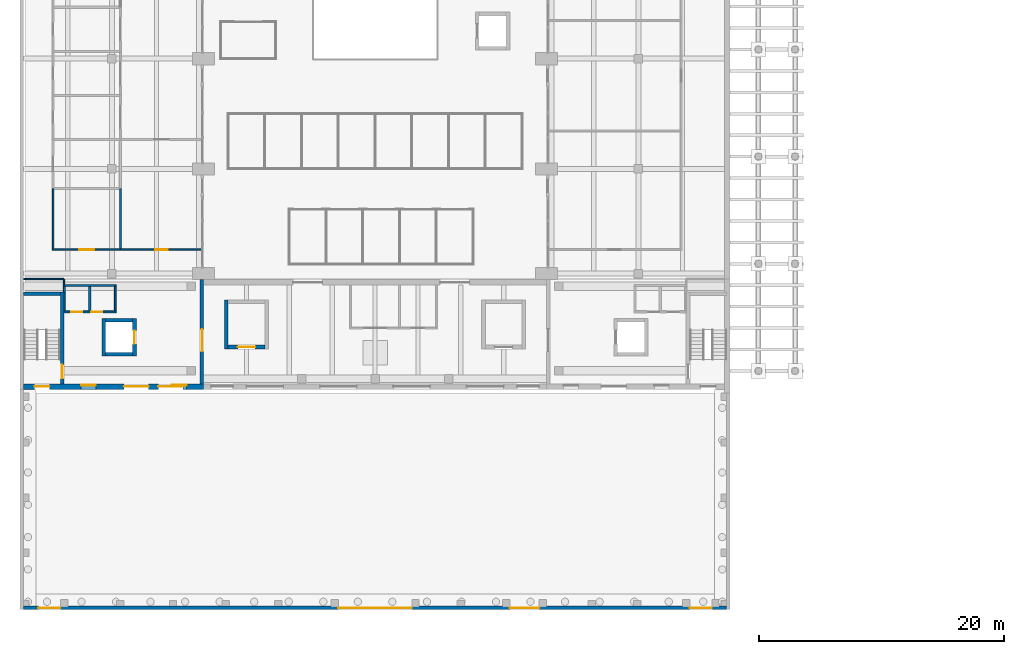
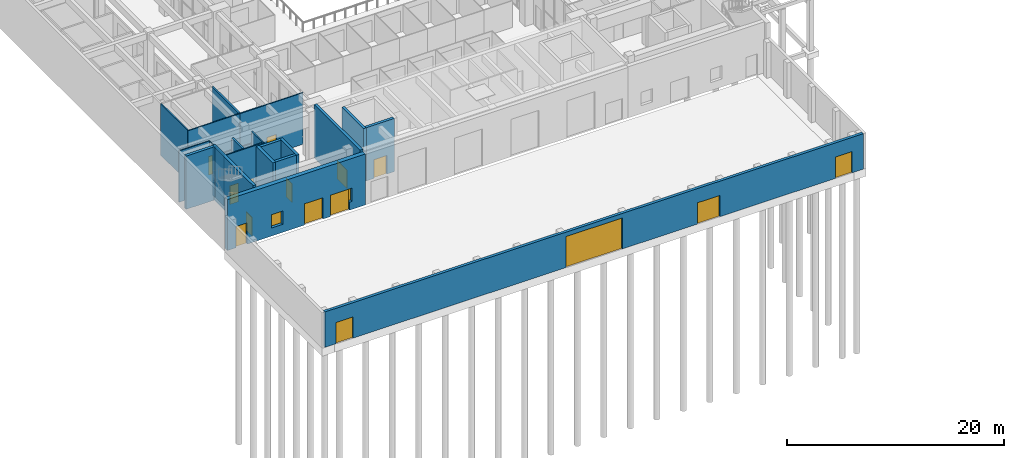
# One storey, part 28 of 51: 23 walls, 15 doors, 2 windows, 17 openings.
"""IFC4 building model written with IfcOpenShell, lengths in metres."""

from ifc_helpers import new_model, si_unit, direction, frame, frame_2d, origin, place, context, subcontext, project, spatial, rectangle, extrude, material, layer, layer_set, type_object, element, fill, save


model = new_model("IFC4")

# Units and contexts
model_context = context("Model", 3, precision=1e-05, world=origin(), true_north=direction((0.0, 1.0)))
body_context = subcontext(model_context, "Body", "Model", "MODEL_VIEW")
ifc_project = project(units=[si_unit("LENGTHUNIT", "METRE"), si_unit("AREAUNIT", "SQUARE_METRE"), si_unit("VOLUMEUNIT", "CUBIC_METRE"), si_unit("PLANEANGLEUNIT", "RADIAN"), si_unit("MASSUNIT", "GRAM", prefix="KILO")], contexts=[model_context])

# Site, building, storey
site_placement = place(None, origin())
site = spatial("IfcSite", under=ifc_project, at=site_placement, CompositionType="ELEMENT")
building_placement = place(site_placement, origin())
building = spatial("IfcBuilding", under=site, at=building_placement, Name="Elmora Arch Market Hall", CompositionType="ELEMENT")
storey_placement = place(building_placement, origin())
storey = spatial("IfcBuildingStorey", under=building, at=storey_placement, Name="L00", CompositionType="ELEMENT", Elevation=0.0)

# Walls
ifc_material_1 = material(Name="Blockwork", Category="masonry")
ifc_layer_1 = layer(ifc_material_1, 0.10009765625)
ifc_layer_set_1 = layer_set([ifc_layer_1], Name="Blockwork")
wall_type_1 = type_object("IfcWallType", Name="Blockwork partition 100 EI 120", PredefinedType="PARTITIONING", material=ifc_layer_set_1)
wall_1_placement = place(storey_placement, frame((3.64990234375, 24.39990234375, 0.0), z_axis=(0.0, 0.0, 1.0), x_axis=(0.0, 1.0, 0.0)))
element("IfcWall", 1, at=wall_1_placement, inside=storey, type_object=wall_type_1, Name="Riser wall L00 04", PredefinedType="PARTITIONING", context=body_context, shape_type="SweptSolid", body=[
    extrude(rectangle(XDim=1.550048828125, YDim=0.10009765625, at=frame_2d((0.77490234375, 0.0))), origin(), (0.0, 0.0, 1.0), 5.75),
])
ifc_material_2 = material(Name="Blockwork", Category="masonry")
ifc_layer_2 = layer(ifc_material_2, 0.14990234375)
ifc_layer_set_2 = layer_set([ifc_layer_2], Name="Blockwork")
wall_type_2 = type_object("IfcWallType", Name="Blockwork partition 150 EI 120", PredefinedType="PARTITIONING", material=ifc_layer_set_2)
wall_2_placement = place(storey_placement, frame((3.625, 25.949951171875, 0.0), z_axis=(0.0, 0.0, 1.0), x_axis=(0.0, 1.0, 0.0)))
element("IfcWall", 2, at=wall_2_placement, inside=storey, type_object=wall_type_2, Name="Riser wall L00 01", PredefinedType="PARTITIONING", context=body_context, shape_type="SweptSolid", body=[
    extrude(rectangle(XDim=0.449951171875, YDim=0.14990234375, at=frame_2d((0.22509765625, 0.0))), origin(), (0.0, 0.0, 1.0), 5.75),
])
wall_3_placement = place(storey_placement, frame((3.550048828125, 26.47509765625, 0.0), z_axis=(0.0, 0.0, 1.0), x_axis=(1.0, 0.0, 0.0)))
element("IfcWall", 3, at=wall_3_placement, inside=storey, type_object=wall_type_2, Name="Riser wall L00 02", PredefinedType="PARTITIONING", context=body_context, shape_type="SweptSolid", body=[
    extrude(rectangle(XDim=4.300048828125, YDim=0.14990234375, at=frame_2d((2.14990234375, 0.0))), origin(), (0.0, 0.0, 1.0), 4.35009765625),
])

# Wall, openings, doors
wall_4_placement = place(storey_placement, frame((3.60009765625, 24.324951171875, 0.0), z_axis=(0.0, 0.0, 1.0), x_axis=(1.0, 0.0, 0.0)))
wall_4 = element("IfcWall", 4, at=wall_4_placement, inside=storey, type_object=wall_type_2, Name="Riser wall L00 03", PredefinedType="PARTITIONING", context=body_context, shape_type="SweptSolid", body=[
    extrude(rectangle(XDim=4.25, YDim=0.14990234375, at=frame_2d((2.125, 0.0))), origin(), (0.0, 0.0, 1.0), 5.75),
])
opening_1_placement = place(wall_4_placement, frame((0.60009765625, 0.0, 0.0)))
opening_1 = element("IfcOpeningElement", 5, at=opening_1_placement, cuts=wall_4, Name="Opening D-L00-005", PredefinedType="OPENING", context=body_context, shape_type="SweptSolid", body=[
    extrude(rectangle(XDim=0.89990234375, YDim=2.10009765625, at=frame_2d((0.449951171875, 1.050048828125))), frame((0.0, 0.0849609375, 0.0), z_axis=(0.0, -1.0, 0.0), x_axis=(1.0, 0.0, 0.0)), (0.0, 0.0, 1.0), 0.169921875),
])
opening_2_placement = place(wall_4_placement, frame((2.199951171875, 0.0, 0.0)))
opening_2 = element("IfcOpeningElement", 6, at=opening_2_placement, cuts=wall_4, Name="Opening D-L00-006", PredefinedType="OPENING", context=body_context, shape_type="SweptSolid", body=[
    extrude(rectangle(XDim=0.89990234375, YDim=2.10009765625, at=frame_2d((0.449951171875, 1.050048828125))), frame((0.0, 0.0849609375, 0.0), z_axis=(0.0, -1.0, 0.0), x_axis=(1.0, 0.0, 0.0)), (0.0, 0.0, 1.0), 0.169921875),
])
ifc_material_3 = material(Name="Steel ASTM A653 galvanised", Category="steel")
door_type_1 = type_object("IfcDoorType", Name="Door 900 x 2100 FD90", OperationType="SINGLE_SWING_LEFT", PredefinedType="DOOR", material=ifc_material_3)
door_1_placement = place(opening_1_placement, origin())
door_1 = element("IfcDoor", 7, at=door_1_placement, inside=storey, type_object=door_type_1, Name="Riser access door D-L00-005", OperationType="SINGLE_SWING_LEFT", OverallHeight=2.10009765625, OverallWidth=0.89990234375, PredefinedType="DOOR", context=body_context, shape_type="SweptSolid", body=[
    extrude(rectangle(XDim=0.89990234375, YDim=2.10009765625, at=frame_2d((0.449951171875, 1.050048828125))), frame((0.0, 0.02490234375, 0.0), z_axis=(0.0, -1.0, 0.0), x_axis=(1.0, 0.0, 0.0)), (0.0, 0.0, 1.0), 0.050048828125),
])
fill(opening_1, door_1)
door_2_placement = place(opening_2_placement, origin())
door_2 = element("IfcDoor", 8, at=door_2_placement, inside=storey, type_object=door_type_1, Name="Riser access door D-L00-006", OperationType="SINGLE_SWING_LEFT", OverallHeight=2.10009765625, OverallWidth=0.89990234375, PredefinedType="DOOR", context=body_context, shape_type="SweptSolid", body=[
    extrude(rectangle(XDim=0.89990234375, YDim=2.10009765625, at=frame_2d((0.449951171875, 1.050048828125))), frame((0.0, 0.02490234375, 0.0), z_axis=(0.0, -1.0, 0.0), x_axis=(1.0, 0.0, 0.0)), (0.0, 0.0, 1.0), 0.050048828125),
])
fill(opening_2, door_2)

# Walls
wall_5_placement = place(storey_placement, frame((7.77490234375, 24.39990234375, 0.0), z_axis=(0.0, 0.0, 1.0), x_axis=(0.0, 1.0, 0.0)))
element("IfcWall", 9, at=wall_5_placement, inside=storey, type_object=wall_type_2, Name="Riser wall L00 14", PredefinedType="PARTITIONING", context=body_context, shape_type="SweptSolid", body=[
    extrude(rectangle(XDim=2.0, YDim=0.14990234375, at=frame_2d((1.0, 0.0))), origin(), (0.0, 0.0, 1.0), 5.75),
])
ifc_material_4 = material(Name="Blockwork", Category="masonry")
ifc_layer_3 = layer(ifc_material_4, 0.199951171875)
ifc_layer_set_3 = layer_set([ifc_layer_3], Name="Blockwork")
wall_type_3 = type_object("IfcWallType", Name="Blockwork partition 200 EI 120", PredefinedType="PARTITIONING", material=ifc_layer_set_3)
wall_6_placement = place(storey_placement, frame((5.699951171875, 24.39990234375, 0.0), z_axis=(0.0, 0.0, 1.0), x_axis=(0.0, 1.0, 0.0)))
element("IfcWall", 10, at=wall_6_placement, inside=storey, type_object=wall_type_3, Name="Riser wall L00 11", PredefinedType="PARTITIONING", context=body_context, shape_type="SweptSolid", body=[
    extrude(rectangle(XDim=2.0, YDim=0.199951171875, at=frame_2d((1.0, 0.0))), origin(), (0.0, 0.0, 1.0), 5.75),
])

# Wall, openings, doors
ifc_material_5 = material(Name="Concrete C40/50", Category="concrete")
ifc_layer_4 = layer(ifc_material_5, 0.300048828125)
ifc_layer_set_4 = layer_set([ifc_layer_4], Name="Concrete C40/50")
wall_type_4 = type_object("IfcWallType", Name="Board-marked concrete wall 300", PredefinedType="SOLIDWALL", material=ifc_layer_set_4)
wall_7_placement = place(storey_placement, frame((57.699951171875, 0.14990234375, 0.0), z_axis=(0.0, 0.0, 1.0), x_axis=(-1.0, 0.0, 0.0)))
wall_7 = element("IfcWall", 11, at=wall_7_placement, inside=storey, type_object=wall_type_4, Name="Yard boundary wall S", PredefinedType="SOLIDWALL", context=body_context, shape_type="SweptSolid", body=[
    extrude(rectangle(XDim=57.39990234375, YDim=0.300048828125, at=frame_2d((28.699951171875, 0.0))), origin(), (0.0, 0.0, 1.0), 4.0),
])
opening_3_placement = place(wall_7_placement, frame((54.39990234375, 0.0, 0.0)))
opening_3 = element("IfcOpeningElement", 12, at=opening_3_placement, cuts=wall_7, Name="Opening EX-YARD-P1", PredefinedType="OPENING", context=body_context, shape_type="SweptSolid", body=[
    extrude(rectangle(XDim=1.800048828125, YDim=2.39990234375, at=frame_2d((0.89990234375, 1.199951171875))), frame((0.0, 0.159912109375, 0.0), z_axis=(0.0, -1.0, 0.0), x_axis=(1.0, 0.0, 0.0)), (0.0, 0.0, 1.0), 0.320068359375),
])
opening_4_placement = place(wall_7_placement, frame((1.199951171875, 0.0, 0.0)))
opening_4 = element("IfcOpeningElement", 13, at=opening_4_placement, cuts=wall_7, Name="Opening EX-YARD-P2", PredefinedType="OPENING", context=body_context, shape_type="SweptSolid", body=[
    extrude(rectangle(XDim=1.800048828125, YDim=2.39990234375, at=frame_2d((0.89990234375, 1.199951171875))), frame((0.0, 0.159912109375, 0.0), z_axis=(0.0, -1.0, 0.0), x_axis=(1.0, 0.0, 0.0)), (0.0, 0.0, 1.0), 0.320068359375),
])
opening_5_placement = place(wall_7_placement, frame((15.300048828125, 0.0, 0.0)))
opening_5 = element("IfcOpeningElement", 14, at=opening_5_placement, cuts=wall_7, Name="Opening EX-YARD-P3", PredefinedType="OPENING", context=body_context, shape_type="SweptSolid", body=[
    extrude(rectangle(XDim=2.39990234375, YDim=2.39990234375, at=frame_2d((1.199951171875, 1.199951171875))), frame((0.0, 0.159912109375, 0.0), z_axis=(0.0, -1.0, 0.0), x_axis=(1.0, 0.0, 0.0)), (0.0, 0.0, 1.0), 0.320068359375),
])
opening_6_placement = place(wall_7_placement, frame((25.699951171875, 0.0, 0.0)))
opening_6 = element("IfcOpeningElement", 15, at=opening_6_placement, cuts=wall_7, Name="Opening EX-YARD-V", PredefinedType="OPENING", context=body_context, shape_type="SweptSolid", body=[
    extrude(rectangle(XDim=6.0, YDim=3.5, at=frame_2d((3.0, 1.75))), frame((0.0, 0.159912109375, 0.0), z_axis=(0.0, -1.0, 0.0), x_axis=(1.0, 0.0, 0.0)), (0.0, 0.0, 1.0), 0.320068359375),
])
ifc_material_6 = material(Name="Steel ASTM A653 galvanised", Category="steel")
door_type_2 = type_object("IfcDoorType", Name="Yard pedestrian door 1800x2400", OperationType="DOUBLE_DOOR_DOUBLE_SWING", PredefinedType="DOOR", material=ifc_material_6)
door_3_placement = place(opening_3_placement, origin())
door_3 = element("IfcDoor", 16, at=door_3_placement, inside=storey, type_object=door_type_2, Name="Yard pedestrian door 1", OperationType="DOUBLE_DOOR_DOUBLE_SWING", OverallHeight=2.39990234375, OverallWidth=1.800048828125, PredefinedType="DOOR", context=body_context, shape_type="SweptSolid", body=[
    extrude(rectangle(XDim=1.800048828125, YDim=2.39990234375, at=frame_2d((0.89990234375, 1.199951171875))), frame((0.0, 0.02490234375, 0.0), z_axis=(0.0, -1.0, 0.0), x_axis=(1.0, 0.0, 0.0)), (0.0, 0.0, 1.0), 0.050048828125),
])
fill(opening_3, door_3)
door_4_placement = place(opening_4_placement, origin())
door_4 = element("IfcDoor", 17, at=door_4_placement, inside=storey, type_object=door_type_2, Name="Yard pedestrian door 2", OperationType="DOUBLE_DOOR_DOUBLE_SWING", OverallHeight=2.39990234375, OverallWidth=1.800048828125, PredefinedType="DOOR", context=body_context, shape_type="SweptSolid", body=[
    extrude(rectangle(XDim=1.800048828125, YDim=2.39990234375, at=frame_2d((0.89990234375, 1.199951171875))), frame((0.0, 0.02490234375, 0.0), z_axis=(0.0, -1.0, 0.0), x_axis=(1.0, 0.0, 0.0)), (0.0, 0.0, 1.0), 0.050048828125),
])
fill(opening_4, door_4)
ifc_material_7 = material(Name="Steel ASTM A653 galvanised", Category="steel")
door_type_3 = type_object("IfcDoorType", Name="Yard pedestrian door 2400x2400", OperationType="DOUBLE_DOOR_DOUBLE_SWING", PredefinedType="DOOR", material=ifc_material_7)
door_5_placement = place(opening_5_placement, origin())
door_5 = element("IfcDoor", 18, at=door_5_placement, inside=storey, type_object=door_type_3, Name="Yard pedestrian door 3", OperationType="DOUBLE_DOOR_DOUBLE_SWING", OverallHeight=2.39990234375, OverallWidth=2.39990234375, PredefinedType="DOOR", context=body_context, shape_type="SweptSolid", body=[
    extrude(rectangle(XDim=2.39990234375, YDim=2.39990234375, at=frame_2d((1.199951171875, 1.199951171875))), frame((0.0, 0.02490234375, 0.0), z_axis=(0.0, -1.0, 0.0), x_axis=(1.0, 0.0, 0.0)), (0.0, 0.0, 1.0), 0.050048828125),
])
fill(opening_5, door_5)
ifc_material_8 = material(Name="Steel ASTM A653 galvanised", Category="steel")
door_type_4 = type_object("IfcDoorType", Name="Yard vehicle gate 6000x3500", OperationType="SLIDING_TO_LEFT", PredefinedType="GATE", material=ifc_material_8)
door_6_placement = place(opening_6_placement, origin())
door_6 = element("IfcDoor", 19, at=door_6_placement, inside=storey, type_object=door_type_4, Name="Yard vehicle gate", OperationType="SLIDING_TO_LEFT", OverallHeight=3.5, OverallWidth=6.0, PredefinedType="GATE", context=body_context, shape_type="SweptSolid", body=[
    extrude(rectangle(XDim=6.0, YDim=3.5, at=frame_2d((3.0, 1.75))), frame((0.0, 0.02490234375, 0.0), z_axis=(0.0, -1.0, 0.0), x_axis=(1.0, 0.0, 0.0)), (0.0, 0.0, 1.0), 0.050048828125),
])
fill(opening_6, door_6)

# Wall, openings, windows, doors
ifc_material_9 = material(Name="Concrete C40/50", Category="concrete")
ifc_layer_5 = layer(ifc_material_9, 0.449951171875)
ifc_layer_set_5 = layer_set([ifc_layer_5], Name="Concrete C40/50")
wall_type_5 = type_object("IfcWallType", Name="Board-marked concrete wall 450", PredefinedType="SOLIDWALL", material=ifc_layer_set_5)
wall_8_placement = place(storey_placement, frame((15.0, 18.22509765625, 0.0), z_axis=(0.0, 0.0, 1.0), x_axis=(-1.0, 0.0, 0.0)))
wall_8 = element("IfcWall", 20, at=wall_8_placement, inside=storey, type_object=wall_type_5, Name="Facade wall south SW L00", PredefinedType="SOLIDWALL", context=body_context, shape_type="SweptSolid", body=[
    extrude(rectangle(XDim=14.699951171875, YDim=0.449951171875, at=frame_2d((7.35009765625, 0.0))), origin(), (0.0, 0.0, 1.0), 5.75),
])
opening_7_placement = place(wall_8_placement, frame((8.800048828125, 0.0, 0.89990234375)))
opening_7 = element("IfcOpeningElement", 21, at=opening_7_placement, cuts=wall_8, Name="Opening WC1", PredefinedType="OPENING", context=body_context, shape_type="SweptSolid", body=[
    extrude(rectangle(XDim=1.199951171875, YDim=1.5, at=frame_2d((0.60009765625, 0.75))), frame((0.0, 0.23486328125, 0.0), z_axis=(0.0, -1.0, 0.0), x_axis=(1.0, 0.0, 0.0)), (0.0, 0.0, 1.0), 0.469970703125),
])
opening_8_placement = place(wall_8_placement, frame((1.39990234375, 0.0, 0.89990234375)))
opening_8 = element("IfcOpeningElement", 22, at=opening_8_placement, cuts=wall_8, Name="Opening WC1", PredefinedType="OPENING", context=body_context, shape_type="SweptSolid", body=[
    extrude(rectangle(XDim=1.199951171875, YDim=1.5, at=frame_2d((0.60009765625, 0.75))), frame((0.0, 0.23486328125, 0.0), z_axis=(0.0, -1.0, 0.0), x_axis=(1.0, 0.0, 0.0)), (0.0, 0.0, 1.0), 0.469970703125),
])
opening_9_placement = place(wall_8_placement, frame((12.60009765625, 0.0, 0.0)))
opening_9 = element("IfcOpeningElement", 23, at=opening_9_placement, cuts=wall_8, Name="Opening EX-ST-WS", PredefinedType="OPENING", context=body_context, shape_type="SweptSolid", body=[
    extrude(rectangle(XDim=1.199951171875, YDim=2.39990234375, at=frame_2d((0.60009765625, 1.199951171875))), frame((0.0, 0.23486328125, 0.0), z_axis=(0.0, -1.0, 0.0), x_axis=(1.0, 0.0, 0.0)), (0.0, 0.0, 1.0), 0.469970703125),
])
opening_10_placement = place(wall_8_placement, frame((4.5, 0.0, 0.0)))
opening_10 = element("IfcOpeningElement", 24, at=opening_10_placement, cuts=wall_8, Name="Opening EX-LBY-W1", PredefinedType="OPENING", context=body_context, shape_type="SweptSolid", body=[
    extrude(rectangle(XDim=2.0, YDim=2.39990234375, at=frame_2d((1.0, 1.199951171875))), frame((0.0, 0.23486328125, 0.0), z_axis=(0.0, -1.0, 0.0), x_axis=(1.0, 0.0, 0.0)), (0.0, 0.0, 1.0), 0.469970703125),
])
opening_11_placement = place(wall_8_placement, frame((1.699951171875, 0.0, 0.0)))
opening_11 = element("IfcOpeningElement", 25, at=opening_11_placement, cuts=wall_8, Name="Opening EX-LBY-W2", PredefinedType="OPENING", context=body_context, shape_type="SweptSolid", body=[
    extrude(rectangle(XDim=2.0, YDim=2.39990234375, at=frame_2d((1.0, 1.199951171875))), frame((0.0, 0.23486328125, 0.0), z_axis=(0.0, -1.0, 0.0), x_axis=(1.0, 0.0, 0.0)), (0.0, 0.0, 1.0), 0.469970703125),
])
ifc_material_10 = material(Name="Aluminium", Category="aluminium")
window_type = type_object("IfcWindowType", Name="Corner block window 1200x1500", PartitioningType="SINGLE_PANEL", PredefinedType="WINDOW", material=ifc_material_10)
window_1_placement = place(opening_7_placement, origin())
window_1 = element("IfcWindow", 26, at=window_1_placement, inside=storey, type_object=window_type, Name="Window WC1 L00 S41", OverallHeight=1.5, OverallWidth=1.199951171875, PartitioningType="SINGLE_PANEL", PredefinedType="WINDOW", context=body_context, shape_type="SweptSolid", body=[
    extrude(rectangle(XDim=1.199951171875, YDim=1.5, at=frame_2d((0.60009765625, 0.75))), frame((0.0, -0.074951171875, 0.0), z_axis=(0.0, -1.0, 0.0), x_axis=(1.0, 0.0, 0.0)), (0.0, 0.0, 1.0), 0.06005859375),
])
fill(opening_7, window_1)
window_2_placement = place(opening_8_placement, origin())
window_2 = element("IfcWindow", 27, at=window_2_placement, inside=storey, type_object=window_type, Name="Window WC1 L00 S42", OverallHeight=1.5, OverallWidth=1.199951171875, PartitioningType="SINGLE_PANEL", PredefinedType="WINDOW", context=body_context, shape_type="SweptSolid", body=[
    extrude(rectangle(XDim=1.199951171875, YDim=1.5, at=frame_2d((0.60009765625, 0.75))), frame((0.0, -0.074951171875, 0.0), z_axis=(0.0, -1.0, 0.0), x_axis=(1.0, 0.0, 0.0)), (0.0, 0.0, 1.0), 0.06005859375),
])
fill(opening_8, window_2)
ifc_material_11 = material(Name="Glazed aluminium", Category="aluminium")
door_type_5 = type_object("IfcDoorType", Name="Pavilion entrance door 2000x2400", OperationType="DOUBLE_DOOR_DOUBLE_SWING", PredefinedType="DOOR", material=ifc_material_11)
door_7_placement = place(opening_10_placement, origin())
door_7 = element("IfcDoor", 28, at=door_7_placement, inside=storey, type_object=door_type_5, Name="Yard exit door W1", OperationType="DOUBLE_DOOR_DOUBLE_SWING", OverallHeight=2.39990234375, OverallWidth=2.0, PredefinedType="DOOR", context=body_context, shape_type="SweptSolid", body=[
    extrude(rectangle(XDim=2.0, YDim=2.39990234375, at=frame_2d((1.0, 1.199951171875))), frame((0.0, 0.02490234375, 0.0), z_axis=(0.0, -1.0, 0.0), x_axis=(1.0, 0.0, 0.0)), (0.0, 0.0, 1.0), 0.050048828125),
])
fill(opening_10, door_7)
door_8_placement = place(opening_11_placement, origin())
door_8 = element("IfcDoor", 29, at=door_8_placement, inside=storey, type_object=door_type_5, Name="Yard exit door W2", OperationType="DOUBLE_DOOR_DOUBLE_SWING", OverallHeight=2.39990234375, OverallWidth=2.0, PredefinedType="DOOR", context=body_context, shape_type="SweptSolid", body=[
    extrude(rectangle(XDim=2.0, YDim=2.39990234375, at=frame_2d((1.0, 1.199951171875))), frame((0.0, 0.02490234375, 0.0), z_axis=(0.0, -1.0, 0.0), x_axis=(1.0, 0.0, 0.0)), (0.0, 0.0, 1.0), 0.050048828125),
])
fill(opening_11, door_8)
ifc_material_12 = material(Name="Steel ASTM A653 galvanised", Category="steel")
door_type_6 = type_object("IfcDoorType", Name="Stair discharge door 1200x2400", OperationType="SINGLE_SWING_LEFT", PredefinedType="DOOR", material=ifc_material_12)
door_9_placement = place(opening_9_placement, origin())
door_9 = element("IfcDoor", 30, at=door_9_placement, inside=storey, type_object=door_type_6, Name="Stair discharge ST-WS", OperationType="SINGLE_SWING_RIGHT", OverallHeight=2.39990234375, OverallWidth=1.199951171875, PredefinedType="DOOR", context=body_context, shape_type="SweptSolid", body=[
    extrude(rectangle(XDim=1.199951171875, YDim=2.39990234375, at=frame_2d((0.60009765625, 1.199951171875))), frame((0.0, 0.02490234375, 0.0), z_axis=(0.0, -1.0, 0.0), x_axis=(1.0, 0.0, 0.0)), (0.0, 0.0, 1.0), 0.050048828125),
])
fill(opening_9, door_9)

# Wall, opening, door
ifc_material_13 = material(Name="Concrete C40/50", Category="concrete")
ifc_layer_6 = layer(ifc_material_13, 0.300048828125)
ifc_layer_set_6 = layer_set([ifc_layer_6], Name="Concrete C40/50")
wall_type_6 = type_object("IfcWallType", Name="Dock wall 300", PredefinedType="SOLIDWALL", material=ifc_layer_set_6)
wall_9_placement = place(storey_placement, frame((14.85009765625, 18.449951171875, 0.0), z_axis=(0.0, 0.0, 1.0), x_axis=(0.0, 1.0, 0.0)))
wall_9 = element("IfcWall", 31, at=wall_9_placement, inside=storey, type_object=wall_type_6, Name="Dock wall W L00", PredefinedType="SOLIDWALL", context=body_context, shape_type="SweptSolid", body=[
    extrude(rectangle(XDim=8.5, YDim=0.300048828125, at=frame_2d((4.25, 0.0))), origin(), (0.0, 0.0, 1.0), 6.0),
])
opening_12_placement = place(wall_9_placement, frame((2.64990234375, 0.0, 0.0)))
opening_12 = element("IfcOpeningElement", 32, at=opening_12_placement, cuts=wall_9, Name="Opening D-L00-001", PredefinedType="OPENING", context=body_context, shape_type="SweptSolid", body=[
    extrude(rectangle(XDim=1.800048828125, YDim=2.10009765625, at=frame_2d((0.89990234375, 1.050048828125))), frame((0.0, 0.159912109375, 0.0), z_axis=(0.0, -1.0, 0.0), x_axis=(1.0, 0.0, 0.0)), (0.0, 0.0, 1.0), 0.320068359375),
])
ifc_material_14 = material(Name="Steel ASTM A653 galvanised", Category="steel")
door_type_7 = type_object("IfcDoorType", Name="Double door 1800 x 2100", OperationType="DOUBLE_DOOR_SINGLE_SWING", PredefinedType="DOOR", material=ifc_material_14)
door_10_placement = place(opening_12_placement, frame((1.800048828125, 0.0, 0.0), z_axis=(0.0, 0.0, 1.0), x_axis=(-1.0, 0.0, 0.0)))
door_10 = element("IfcDoor", 33, at=door_10_placement, inside=storey, type_object=door_type_7, Name="D-L00-001", OperationType="DOUBLE_DOOR_SINGLE_SWING", OverallHeight=2.10009765625, OverallWidth=1.800048828125, PredefinedType="DOOR", context=body_context, shape_type="SweptSolid", body=[
    extrude(rectangle(XDim=1.800048828125, YDim=2.10009765625, at=frame_2d((0.89990234375, 1.050048828125))), frame((0.0, 0.02490234375, 0.0), z_axis=(0.0, -1.0, 0.0), x_axis=(1.0, 0.0, 0.0)), (0.0, 0.0, 1.0), 0.050048828125),
])
fill(opening_12, door_10)

# Wall
ifc_material_15 = material(Name="Concrete C40/50", Category="concrete")
ifc_layer_7 = layer(ifc_material_15, 0.300048828125)
ifc_layer_set_7 = layer_set([ifc_layer_7], Name="Concrete C40/50")
wall_type_7 = type_object("IfcWallType", Name="Lift shaft wall 300", PredefinedType="SHEAR", material=ifc_layer_set_7)
wall_10_placement = place(storey_placement, frame((6.85009765625, 20.699951171875, 0.0), z_axis=(0.0, 0.0, 1.0), x_axis=(0.0, 1.0, 0.0)))
element("IfcWall", 34, at=wall_10_placement, inside=storey, type_object=wall_type_7, Name="Lift shaft wall WL1 W L00", PredefinedType="SHEAR", context=body_context, shape_type="SweptSolid", body=[
    extrude(rectangle(XDim=3.10009765625, YDim=0.300048828125, at=frame_2d((1.550048828125, 0.0))), origin(), (0.0, 0.0, 1.0), 6.0),
])

# Wall, opening, door
wall_11_placement = place(storey_placement, frame((9.35009765625, 20.699951171875, 0.0), z_axis=(0.0, 0.0, 1.0), x_axis=(0.0, 1.0, 0.0)))
wall_11 = element("IfcWall", 35, at=wall_11_placement, inside=storey, type_object=wall_type_7, Name="Lift shaft wall WL1 E L00", PredefinedType="SHEAR", context=body_context, shape_type="SweptSolid", body=[
    extrude(rectangle(XDim=3.10009765625, YDim=0.300048828125, at=frame_2d((1.550048828125, 0.0))), origin(), (0.0, 0.0, 1.0), 6.0),
])
opening_13_placement = place(wall_11_placement, frame((1.0, 0.0, 0.0)))
opening_13 = element("IfcOpeningElement", 36, at=opening_13_placement, cuts=wall_11, Name="Opening LD-WL1-L00", PredefinedType="OPENING", context=body_context, shape_type="SweptSolid", body=[
    extrude(rectangle(XDim=1.10009765625, YDim=2.10009765625, at=frame_2d((0.550048828125, 1.050048828125))), frame((0.0, 0.159912109375, 0.0), z_axis=(0.0, -1.0, 0.0), x_axis=(1.0, 0.0, 0.0)), (0.0, 0.0, 1.0), 0.320068359375),
])
ifc_material_16 = material(Name="Stainless steel ASTM A240 Type 304", Category="steel")
door_type_8 = type_object("IfcDoorType", Name="Lift landing door 1100 x 2100 FD90", OperationType="SLIDING_TO_LEFT", PredefinedType="DOOR", material=ifc_material_16)
door_11_placement = place(opening_13_placement, origin())
door_11 = element("IfcDoor", 37, at=door_11_placement, inside=storey, type_object=door_type_8, Name="Landing door WL1 L00", OperationType="SLIDING_TO_LEFT", OverallHeight=2.10009765625, OverallWidth=1.10009765625, PredefinedType="DOOR", context=body_context, shape_type="SweptSolid", body=[
    extrude(rectangle(XDim=1.10009765625, YDim=2.10009765625, at=frame_2d((0.550048828125, 1.050048828125))), frame((0.0, 0.02490234375, 0.0), z_axis=(0.0, -1.0, 0.0), x_axis=(1.0, 0.0, 0.0)), (0.0, 0.0, 1.0), 0.050048828125),
])
fill(opening_13, door_11)

# Walls
for number, where, z_axis, x_axis, name in (
    (38, (7.0, 20.85009765625, 0.0), (0.0, 0.0, 1.0), (1.0, 0.0, 0.0), "Lift shaft wall WL1 S L00"),
    (39, (7.0, 23.64990234375, 0.0), (0.0, 0.0, 1.0), (1.0, 0.0, 0.0), "Lift shaft wall WL1 N L00"),
):
    element("IfcWall", number, at=place(storey_placement, frame(where, z_axis=z_axis, x_axis=x_axis)), inside=storey, type_object=wall_type_7, Name=name, PredefinedType="SHEAR", context=body_context, shape_type="SweptSolid", body=[
        extrude(rectangle(XDim=2.199951171875, YDim=0.300048828125, at=frame_2d((1.10009765625, 0.0))), origin(), (0.0, 0.0, 1.0), 6.0),
    ])
wall_12_placement = place(storey_placement, frame((16.85009765625, 21.300048828125, 0.0), z_axis=(0.0, 0.0, 1.0), x_axis=(0.0, 1.0, 0.0)))
element("IfcWall", 40, at=wall_12_placement, inside=storey, type_object=wall_type_7, Name="Lift shaft wall GL1 W L00", PredefinedType="SHEAR", context=body_context, shape_type="SweptSolid", body=[
    extrude(rectangle(XDim=4.0, YDim=0.300048828125, at=frame_2d((2.0, 0.0))), origin(), (0.0, 0.0, 1.0), 6.0),
])

# Wall, opening, door
wall_13_placement = place(storey_placement, frame((17.0, 21.449951171875, 0.0), z_axis=(0.0, 0.0, 1.0), x_axis=(1.0, 0.0, 0.0)))
wall_13 = element("IfcWall", 41, at=wall_13_placement, inside=storey, type_object=wall_type_7, Name="Lift shaft wall GL1 S L00", PredefinedType="SHEAR", context=body_context, shape_type="SweptSolid", body=[
    extrude(rectangle(XDim=3.0, YDim=0.300048828125, at=frame_2d((1.5, 0.0))), origin(), (0.0, 0.0, 1.0), 6.0),
])
opening_14_placement = place(wall_13_placement, frame((0.800048828125, 0.0, 0.0)))
opening_14 = element("IfcOpeningElement", 42, at=opening_14_placement, cuts=wall_13, Name="Opening LD-GL1-L00", PredefinedType="OPENING", context=body_context, shape_type="SweptSolid", body=[
    extrude(rectangle(XDim=1.39990234375, YDim=2.10009765625, at=frame_2d((0.699951171875, 1.050048828125))), frame((0.0, 0.159912109375, 0.0), z_axis=(0.0, -1.0, 0.0), x_axis=(1.0, 0.0, 0.0)), (0.0, 0.0, 1.0), 0.320068359375),
])
ifc_material_17 = material(Name="Stainless steel ASTM A240 Type 304", Category="steel")
door_type_9 = type_object("IfcDoorType", Name="Lift landing door 1400 x 2100 FD90", OperationType="DOUBLE_DOOR_SLIDING", PredefinedType="DOOR", material=ifc_material_17)
door_12_placement = place(opening_14_placement, origin())
door_12 = element("IfcDoor", 43, at=door_12_placement, inside=storey, type_object=door_type_9, Name="Landing door GL1 L00", OperationType="DOUBLE_DOOR_SLIDING", OverallHeight=2.10009765625, OverallWidth=1.39990234375, PredefinedType="DOOR", context=body_context, shape_type="SweptSolid", body=[
    extrude(rectangle(XDim=1.39990234375, YDim=2.10009765625, at=frame_2d((0.699951171875, 1.050048828125))), frame((0.0, 0.02490234375, 0.0), z_axis=(0.0, -1.0, 0.0), x_axis=(1.0, 0.0, 0.0)), (0.0, 0.0, 1.0), 0.050048828125),
])
fill(opening_14, door_12)

# Walls
ifc_material_18 = material(Name="Gypsum board on metal studs")
ifc_layer_8 = layer(ifc_material_18, 0.10009765625)
ifc_layer_set_8 = layer_set([ifc_layer_8], Name="Gypsum board on metal studs")
wall_type_8 = type_object("IfcWallType", Name="Partition 100", PredefinedType="PARTITIONING", material=ifc_layer_set_8)
wall_14_placement = place(storey_placement, frame((0.300048828125, 27.0, 0.0), z_axis=(0.0, 0.0, 1.0), x_axis=(1.0, 0.0, 0.0)))
element("IfcWall", 44, at=wall_14_placement, inside=storey, type_object=wall_type_8, Name="Partition PT-L00-003", PredefinedType="PARTITIONING", context=body_context, shape_type="SweptSolid", body=[
    extrude(rectangle(XDim=3.2900390625, YDim=0.10009765625, at=frame_2d((1.64501953125, 0.0))), origin(), (0.0, 0.0, 1.0), 5.800048828125),
])
wall_15_placement = place(storey_placement, frame((3.60009765625, 26.550048828125, 0.0), z_axis=(0.0, 0.0, 1.0), x_axis=(0.0, 1.0, 0.0)))
element("IfcWall", 45, at=wall_15_placement, inside=storey, type_object=wall_type_8, Name="Partition PT-L00-143", PredefinedType="PARTITIONING", context=body_context, shape_type="SweptSolid", body=[
    extrude(rectangle(XDim=0.43994140625, YDim=0.10009765625, at=frame_2d((0.219970703125, 0.0))), origin(), (0.0, 0.0, 1.0), 5.75),
])

# Wall, opening, door
ifc_material_19 = material(Name="Gypsum board on metal studs")
ifc_layer_9 = layer(ifc_material_19, 0.125)
ifc_layer_set_9 = layer_set([ifc_layer_9], Name="Gypsum board on metal studs")
wall_type_9 = type_object("IfcWallType", Name="Partition 125 EI 60", PredefinedType="PARTITIONING", material=ifc_layer_set_9)
wall_16_placement = place(storey_placement, frame((2.637451171875, 29.39990234375, 0.0), z_axis=(0.0, 0.0, 1.0), x_axis=(1.0, 0.0, 0.0)))
wall_16 = element("IfcWall", 46, at=wall_16_placement, inside=storey, type_object=wall_type_9, Name="Partition PT-L00-010", PredefinedType="PARTITIONING", context=body_context, shape_type="SweptSolid", body=[
    extrude(rectangle(XDim=5.5625, YDim=0.125, at=frame_2d((2.78125, 0.0))), origin(), (0.0, 0.0, 1.0), 5.800048828125),
])
opening_15_placement = place(wall_16_placement, frame((2.21240234375, 0.0, 0.0)))
opening_15 = element("IfcOpeningElement", 47, at=opening_15_placement, cuts=wall_16, Name="Opening D-L00-009", PredefinedType="OPENING", context=body_context, shape_type="SweptSolid", body=[
    extrude(rectangle(XDim=1.199951171875, YDim=2.10009765625, at=frame_2d((0.60009765625, 1.050048828125))), frame((0.0, 0.072509765625, 0.0), z_axis=(0.0, -1.0, 0.0), x_axis=(1.0, 0.0, 0.0)), (0.0, 0.0, 1.0), 0.14501953125),
])
ifc_material_20 = material(Name="Steel ASTM A653 galvanised", Category="steel")
door_type_10 = type_object("IfcDoorType", Name="Door 1200 x 2100 FD45", OperationType="SINGLE_SWING_LEFT", PredefinedType="DOOR", material=ifc_material_20)
door_13_placement = place(opening_15_placement, origin())
door_13 = element("IfcDoor", 48, at=door_13_placement, inside=storey, type_object=door_type_10, Name="D-L00-009", OperationType="SINGLE_SWING_RIGHT", OverallHeight=2.10009765625, OverallWidth=1.199951171875, PredefinedType="DOOR", context=body_context, shape_type="SweptSolid", body=[
    extrude(rectangle(XDim=1.199951171875, YDim=2.10009765625, at=frame_2d((0.60009765625, 1.050048828125))), frame((0.0, 0.02490234375, 0.0), z_axis=(0.0, -1.0, 0.0), x_axis=(1.0, 0.0, 0.0)), (0.0, 0.0, 1.0), 0.050048828125),
])
fill(opening_15, door_13)

wall_17_placement = place(storey_placement, frame((8.199951171875, 29.39990234375, 0.0), z_axis=(0.0, 0.0, 1.0), x_axis=(1.0, 0.0, 0.0)))
wall_17 = element("IfcWall", 49, at=wall_17_placement, inside=storey, type_object=wall_type_9, Name="Partition PT-L00-011", PredefinedType="PARTITIONING", context=body_context, shape_type="SweptSolid", body=[
    extrude(rectangle(XDim=6.699951171875, YDim=0.125, at=frame_2d((3.35009765625, 0.0))), origin(), (0.0, 0.0, 1.0), 5.800048828125),
])
opening_16_placement = place(wall_17_placement, frame((2.85009765625, 0.0, 0.0)))
opening_16 = element("IfcOpeningElement", 50, at=opening_16_placement, cuts=wall_17, Name="Opening D-L00-010", PredefinedType="OPENING", context=body_context, shape_type="SweptSolid", body=[
    extrude(rectangle(XDim=1.0, YDim=2.10009765625, at=frame_2d((0.5, 1.050048828125))), frame((0.0, 0.072509765625, 0.0), z_axis=(0.0, -1.0, 0.0), x_axis=(1.0, 0.0, 0.0)), (0.0, 0.0, 1.0), 0.14501953125),
])
ifc_material_21 = material(Name="Steel ASTM A653 galvanised", Category="steel")
door_type_11 = type_object("IfcDoorType", Name="Door 1000 x 2100 FD45", OperationType="SINGLE_SWING_LEFT", PredefinedType="DOOR", material=ifc_material_21)
door_14_placement = place(opening_16_placement, origin())
door_14 = element("IfcDoor", 51, at=door_14_placement, inside=storey, type_object=door_type_11, Name="D-L00-010", OperationType="SINGLE_SWING_LEFT", OverallHeight=2.10009765625, OverallWidth=1.0, PredefinedType="DOOR", context=body_context, shape_type="SweptSolid", body=[
    extrude(rectangle(XDim=1.0, YDim=2.10009765625, at=frame_2d((0.5, 1.050048828125))), frame((0.0, 0.02490234375, 0.0), z_axis=(0.0, -1.0, 0.0), x_axis=(1.0, 0.0, 0.0)), (0.0, 0.0, 1.0), 0.050048828125),
])
fill(opening_16, door_14)

# Walls
wall_18_placement = place(storey_placement, frame((2.699951171875, 29.46240234375, 0.0), z_axis=(0.0, 0.0, 1.0), x_axis=(0.0, 1.0, 0.0)))
element("IfcWall", 52, at=wall_18_placement, inside=storey, type_object=wall_type_9, Name="Partition PT-L00-130", PredefinedType="PARTITIONING", context=body_context, shape_type="SweptSolid", body=[
    extrude(rectangle(XDim=4.9375, YDim=0.125, at=frame_2d((2.46875, 0.0))), origin(), (0.0, 0.0, 1.0), 5.800048828125),
])
ifc_material_22 = material(Name="Gypsum board on metal studs")
ifc_layer_10 = layer(ifc_material_22, 0.175048828125)
ifc_layer_set_10 = layer_set([ifc_layer_10], Name="Gypsum board on metal studs")
wall_type_10 = type_object("IfcWallType", Name="Partition 175 EI 60", PredefinedType="PARTITIONING", material=ifc_layer_set_10)
wall_19_placement = place(storey_placement, frame((8.199951171875, 29.46240234375, 0.0), z_axis=(0.0, 0.0, 1.0), x_axis=(0.0, 1.0, 0.0)))
element("IfcWall", 53, at=wall_19_placement, inside=storey, type_object=wall_type_10, Name="Partition PT-L00-149", PredefinedType="PARTITIONING", context=body_context, shape_type="SweptSolid", body=[
    extrude(rectangle(XDim=4.9375, YDim=0.175048828125, at=frame_2d((2.46875, 0.0))), origin(), (0.0, 0.0, 1.0), 5.800048828125),
])

# Wall, opening, door
ifc_material_23 = material(Name="Concrete C40/50", Category="concrete")
ifc_layer_11 = layer(ifc_material_23, 0.300048828125)
ifc_layer_set_11 = layer_set([ifc_layer_11], Name="Concrete C40/50")
wall_type_11 = type_object("IfcWallType", Name="Stair wall 300", PredefinedType="SHEAR", material=ifc_layer_set_11)
wall_20_placement = place(storey_placement, frame((3.449951171875, 18.449951171875, 0.0), z_axis=(0.0, 0.0, 1.0), x_axis=(0.0, 1.0, 0.0)))
wall_20 = element("IfcWall", 54, at=wall_20_placement, inside=storey, type_object=wall_type_11, Name="Stair wall ST-WS E L00", PredefinedType="SHEAR", context=body_context, shape_type="SweptSolid", body=[
    extrude(rectangle(XDim=7.5, YDim=0.300048828125, at=frame_2d((3.75, 0.0))), origin(), (0.0, 0.0, 1.0), 6.0),
])
opening_17_placement = place(wall_20_placement, frame((0.449951171875, 0.0, 0.0)))
opening_17 = element("IfcOpeningElement", 55, at=opening_17_placement, cuts=wall_20, Name="Opening ST-WS-L00", PredefinedType="OPENING", context=body_context, shape_type="SweptSolid", body=[
    extrude(rectangle(XDim=1.10009765625, YDim=2.10009765625, at=frame_2d((0.550048828125, 1.050048828125))), frame((0.0, 0.159912109375, 0.0), z_axis=(0.0, -1.0, 0.0), x_axis=(1.0, 0.0, 0.0)), (0.0, 0.0, 1.0), 0.320068359375),
])
ifc_material_24 = material(Name="Steel ASTM A653 galvanised", Category="steel")
door_type_12 = type_object("IfcDoorType", Name="Stair door 1100 x 2100 FD90", OperationType="SINGLE_SWING_LEFT", PredefinedType="DOOR", material=ifc_material_24)
door_15_placement = place(opening_17_placement, origin())
door_15 = element("IfcDoor", 56, at=door_15_placement, inside=storey, type_object=door_type_12, Name="Stair door ST-WS L00", OperationType="SINGLE_SWING_LEFT", OverallHeight=2.10009765625, OverallWidth=1.10009765625, PredefinedType="DOOR", context=body_context, shape_type="SweptSolid", body=[
    extrude(rectangle(XDim=1.10009765625, YDim=2.10009765625, at=frame_2d((0.550048828125, 1.050048828125))), frame((0.0, 0.02490234375, 0.0), z_axis=(0.0, -1.0, 0.0), x_axis=(1.0, 0.0, 0.0)), (0.0, 0.0, 1.0), 0.050048828125),
])
fill(opening_17, door_15)

# Wall
wall_21_placement = place(storey_placement, frame((0.300048828125, 25.800048828125, 0.0), z_axis=(0.0, 0.0, 1.0), x_axis=(1.0, 0.0, 0.0)))
element("IfcWall", 57, at=wall_21_placement, inside=storey, type_object=wall_type_11, Name="Stair wall ST-WS N L00", PredefinedType="SHEAR", context=body_context, shape_type="SweptSolid", body=[
    extrude(rectangle(XDim=3.0, YDim=0.300048828125, at=frame_2d((1.5, 0.0))), origin(), (0.0, 0.0, 1.0), 6.0),
])

save(model, "model.ifc")
